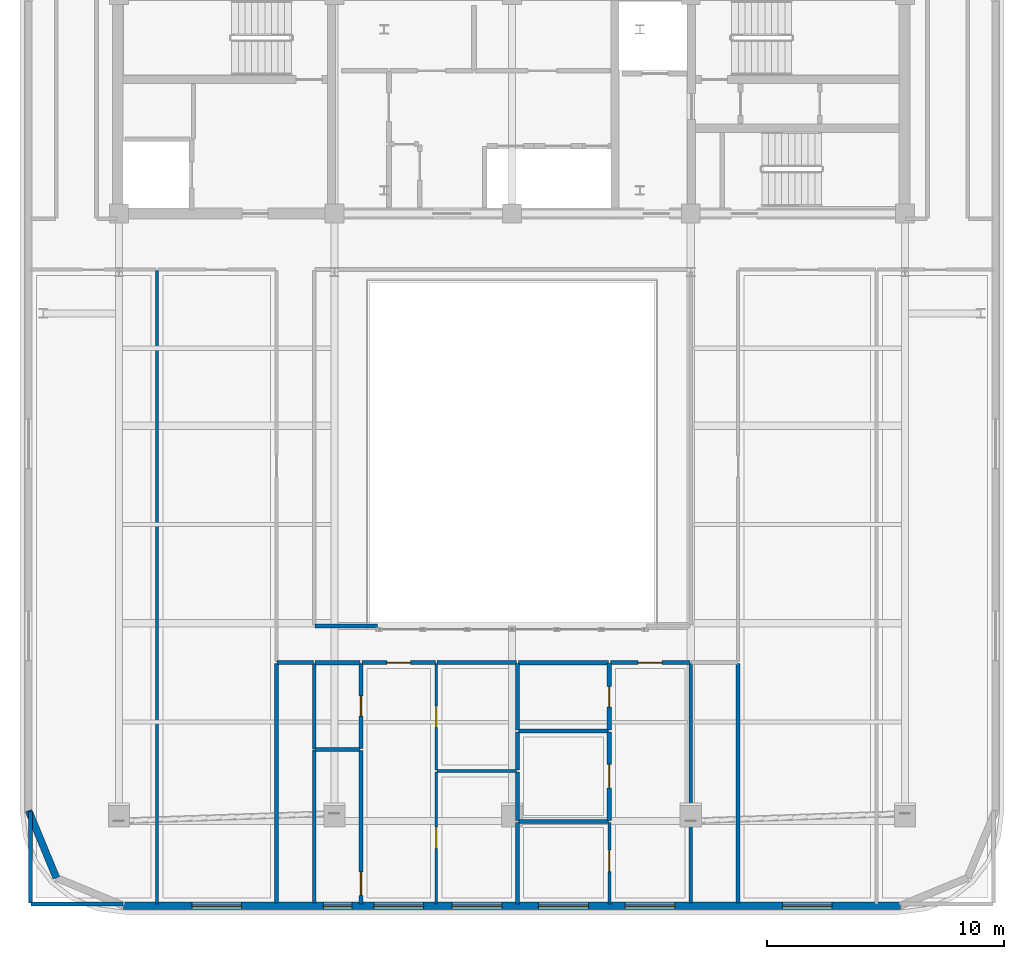
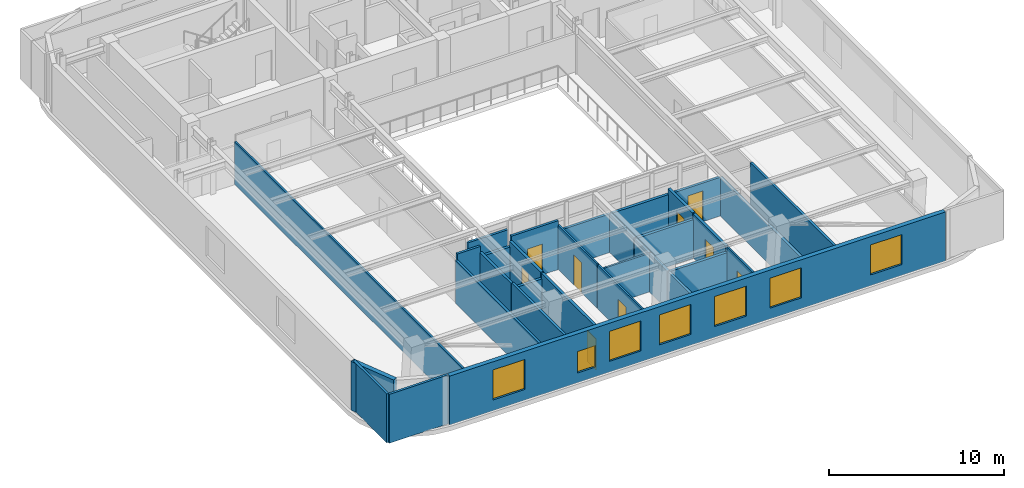
# One storey, part 5 of 11: 32 walls, 9 doors, 7 windows, 16 openings.
"""IFC4 building model written with IfcOpenShell, lengths in metres."""

from ifc_helpers import new_model, si_unit, direction, frame, frame_2d, origin, place, context, subcontext, project, spatial, rectangle, extrude, material, layer, layer_set, type_object, element, fill, save


model = new_model("IFC4")

# Units and contexts
model_context = context("Model", 3, precision=1e-05, world=origin(), true_north=direction((0.0, 1.0)))
body_context = subcontext(model_context, "Body", "Model", "MODEL_VIEW")
ifc_project = project(units=[si_unit("LENGTHUNIT", "METRE"), si_unit("AREAUNIT", "SQUARE_METRE"), si_unit("VOLUMEUNIT", "CUBIC_METRE"), si_unit("PLANEANGLEUNIT", "RADIAN"), si_unit("MASSUNIT", "GRAM", prefix="KILO")], contexts=[model_context])

# Site, building, storey
site_placement = place(None, origin())
site = spatial("IfcSite", under=ifc_project, at=site_placement, CompositionType="ELEMENT")
building_placement = place(site_placement, origin())
building = spatial("IfcBuilding", under=site, at=building_placement, Name="Zarnavel Station Tower", CompositionType="ELEMENT")
storey_placement = place(building_placement, frame((0.0, 0.0, 262.10009765625)))
storey = spatial("IfcBuildingStorey", under=building, at=storey_placement, Name="L71", CompositionType="ELEMENT", Elevation=262.10009765625)

# Wall
ifc_material_1 = material(Name="Precast concrete C45/55 (Dark Basalt Finish)", Category="masonry")
ifc_layer_1 = layer(ifc_material_1, 0.300048828125)
ifc_layer_set_1 = layer_set([ifc_layer_1], Name="EW_BASALT_300")
wall_type_1 = type_object("IfcWallType", Name="EW_BASALT_300", PredefinedType="SOLIDWALL", material=ifc_layer_set_1)
wall_1_placement = place(storey_placement, frame((9.557373046875, -0.24267578125, 0.0), z_axis=(0.0, 0.0, 1.0), x_axis=(-0.382676475685, 0.923882414032, 0.0)))
element("IfcWall", 1, at=wall_1_placement, inside=storey, type_object=wall_type_1, Name="L71 Exterior Basalt Masonry Frame Wall 10", PredefinedType="SOLIDWALL", context=body_context, shape_type="SweptSolid", body=[
    extrude(rectangle(XDim=3.076904296875, YDim=0.300048828125, at=frame_2d((1.53857421875, 0.0))), origin(), (0.0, 0.0, 1.0), 3.419921875),
])

# Wall, openings, windows
wall_2_placement = place(storey_placement, frame((45.199951171875, -1.419921875, 0.0), z_axis=(0.0, 0.0, 1.0), x_axis=(-1.0, 0.0, 0.0)))
wall_2 = element("IfcWall", 2, at=wall_2_placement, inside=storey, type_object=wall_type_1, Name="L71 Exterior Basalt Masonry Frame Wall 12", PredefinedType="SOLIDWALL", context=body_context, shape_type="SweptSolid", body=[
    extrude(rectangle(XDim=32.800048828125, YDim=0.300048828125, at=frame_2d((16.39990234375, 0.0))), origin(), (0.0, 0.0, 1.0), 3.419921875),
])
opening_1_placement = place(wall_2_placement, frame((27.824951171875, 0.0, 0.75)))
opening_1 = element("IfcOpeningElement", 3, at=opening_1_placement, cuts=wall_2, Name="Opening WN05", PredefinedType="OPENING", context=body_context, shape_type="SweptSolid", body=[
    extrude(rectangle(XDim=2.10009765625, YDim=2.10009765625, at=frame_2d((1.050048828125, 1.050048828125))), frame((0.0, 0.159912109375, 0.0), z_axis=(0.0, -1.0, 0.0), x_axis=(1.0, 0.0, 0.0)), (0.0, 0.0, 1.0), 0.320068359375),
])
opening_2_placement = place(wall_2_placement, frame((20.136474609375, 0.0, 0.75)))
opening_2 = element("IfcOpeningElement", 4, at=opening_2_placement, cuts=wall_2, Name="Opening WN05", PredefinedType="OPENING", context=body_context, shape_type="SweptSolid", body=[
    extrude(rectangle(XDim=2.10009765625, YDim=2.10009765625, at=frame_2d((1.050048828125, 1.050048828125))), frame((0.0, 0.159912109375, 0.0), z_axis=(0.0, -1.0, 0.0), x_axis=(1.0, 0.0, 0.0)), (0.0, 0.0, 1.0), 0.320068359375),
])
opening_3_placement = place(wall_2_placement, frame((23.16259765625, 0.0, 0.679931640625)))
opening_3 = element("IfcOpeningElement", 5, at=opening_3_placement, cuts=wall_2, Name="Opening WN08", PredefinedType="OPENING", context=body_context, shape_type="SweptSolid", body=[
    extrude(rectangle(XDim=1.199951171875, YDim=1.5, at=frame_2d((0.60009765625, 0.75))), frame((0.0, 0.159912109375, 0.0), z_axis=(0.0, -1.0, 0.0), x_axis=(1.0, 0.0, 0.0)), (0.0, 0.0, 1.0), 0.320068359375),
])
opening_4_placement = place(wall_2_placement, frame((16.8310546875, 0.0, 0.75)))
opening_4 = element("IfcOpeningElement", 6, at=opening_4_placement, cuts=wall_2, Name="Opening WN05", PredefinedType="OPENING", context=body_context, shape_type="SweptSolid", body=[
    extrude(rectangle(XDim=2.10009765625, YDim=2.10009765625, at=frame_2d((1.050048828125, 1.050048828125))), frame((0.0, 0.159912109375, 0.0), z_axis=(0.0, -1.0, 0.0), x_axis=(1.0, 0.0, 0.0)), (0.0, 0.0, 1.0), 0.320068359375),
])
opening_5_placement = place(wall_2_placement, frame((9.51904296875, 0.0, 0.75)))
opening_5 = element("IfcOpeningElement", 7, at=opening_5_placement, cuts=wall_2, Name="Opening WN05", PredefinedType="OPENING", context=body_context, shape_type="SweptSolid", body=[
    extrude(rectangle(XDim=2.10009765625, YDim=2.10009765625, at=frame_2d((1.050048828125, 1.050048828125))), frame((0.0, 0.159912109375, 0.0), z_axis=(0.0, -1.0, 0.0), x_axis=(1.0, 0.0, 0.0)), (0.0, 0.0, 1.0), 0.320068359375),
])
opening_6_placement = place(wall_2_placement, frame((13.176025390625, 0.0, 0.75)))
opening_6 = element("IfcOpeningElement", 8, at=opening_6_placement, cuts=wall_2, Name="Opening WN05", PredefinedType="OPENING", context=body_context, shape_type="SweptSolid", body=[
    extrude(rectangle(XDim=2.10009765625, YDim=2.10009765625, at=frame_2d((1.050048828125, 1.050048828125))), frame((0.0, 0.159912109375, 0.0), z_axis=(0.0, -1.0, 0.0), x_axis=(1.0, 0.0, 0.0)), (0.0, 0.0, 1.0), 0.320068359375),
])
opening_7_placement = place(wall_2_placement, frame((2.875, 0.0, 0.75)))
opening_7 = element("IfcOpeningElement", 9, at=opening_7_placement, cuts=wall_2, Name="Opening WN05", PredefinedType="OPENING", context=body_context, shape_type="SweptSolid", body=[
    extrude(rectangle(XDim=2.10009765625, YDim=2.10009765625, at=frame_2d((1.050048828125, 1.050048828125))), frame((0.0, 0.159912109375, 0.0), z_axis=(0.0, -1.0, 0.0), x_axis=(1.0, 0.0, 0.0)), (0.0, 0.0, 1.0), 0.320068359375),
])
ifc_material_2 = material(Name="Thermally Broken Black Aluminium and Low-E Dark Glass", Category="aluminium")
window_type_1 = type_object("IfcWindowType", Name="WN_1200x1500", PartitioningType="SINGLE_PANEL", PredefinedType="WINDOW", material=ifc_material_2)
window_1_placement = place(opening_3_placement, origin())
window_1 = element("IfcWindow", 10, at=window_1_placement, inside=storey, type_object=window_type_1, Name="L71 Recessed Facade Window 03", OverallHeight=1.5, OverallWidth=1.199951171875, PartitioningType="SINGLE_PANEL", PredefinedType="WINDOW", context=body_context, shape_type="SweptSolid", body=[
    extrude(rectangle(XDim=1.199951171875, YDim=1.5, at=frame_2d((0.60009765625, 0.75))), frame((0.0, 0.030029296875, 0.0), z_axis=(0.0, -1.0, 0.0), x_axis=(1.0, 0.0, 0.0)), (0.0, 0.0, 1.0), 0.06005859375),
])
fill(opening_3, window_1)
ifc_material_3 = material(Name="Thermally Broken Black Aluminium and Low-E Dark Glass", Category="aluminium")
window_type_2 = type_object("IfcWindowType", Name="WN_2100x2100", PartitioningType="TRIPLE_PANEL_VERTICAL", PredefinedType="WINDOW", material=ifc_material_3)
window_2_placement = place(opening_1_placement, origin())
window_2 = element("IfcWindow", 11, at=window_2_placement, inside=storey, type_object=window_type_2, Name="L71 Recessed Facade Window 01", OverallHeight=2.10009765625, OverallWidth=2.10009765625, PartitioningType="SINGLE_PANEL", PredefinedType="WINDOW", context=body_context, shape_type="SweptSolid", body=[
    extrude(rectangle(XDim=2.10009765625, YDim=2.10009765625, at=frame_2d((1.050048828125, 1.050048828125))), frame((0.0, 0.030029296875, 0.0), z_axis=(0.0, -1.0, 0.0), x_axis=(1.0, 0.0, 0.0)), (0.0, 0.0, 1.0), 0.06005859375),
])
fill(opening_1, window_2)
window_3_placement = place(opening_2_placement, origin())
window_3 = element("IfcWindow", 12, at=window_3_placement, inside=storey, type_object=window_type_2, Name="L71 Recessed Facade Window 02", OverallHeight=2.10009765625, OverallWidth=2.10009765625, PartitioningType="SINGLE_PANEL", PredefinedType="WINDOW", context=body_context, shape_type="SweptSolid", body=[
    extrude(rectangle(XDim=2.10009765625, YDim=2.10009765625, at=frame_2d((1.050048828125, 1.050048828125))), frame((0.0, 0.030029296875, 0.0), z_axis=(0.0, -1.0, 0.0), x_axis=(1.0, 0.0, 0.0)), (0.0, 0.0, 1.0), 0.06005859375),
])
fill(opening_2, window_3)
window_4_placement = place(opening_4_placement, origin())
window_4 = element("IfcWindow", 13, at=window_4_placement, inside=storey, type_object=window_type_2, Name="L71 Recessed Facade Window 04", OverallHeight=2.10009765625, OverallWidth=2.10009765625, PartitioningType="SINGLE_PANEL", PredefinedType="WINDOW", context=body_context, shape_type="SweptSolid", body=[
    extrude(rectangle(XDim=2.10009765625, YDim=2.10009765625, at=frame_2d((1.050048828125, 1.050048828125))), frame((0.0, 0.030029296875, 0.0), z_axis=(0.0, -1.0, 0.0), x_axis=(1.0, 0.0, 0.0)), (0.0, 0.0, 1.0), 0.06005859375),
])
fill(opening_4, window_4)
window_5_placement = place(opening_5_placement, origin())
window_5 = element("IfcWindow", 14, at=window_5_placement, inside=storey, type_object=window_type_2, Name="L71 Recessed Facade Window 05", OverallHeight=2.10009765625, OverallWidth=2.10009765625, PartitioningType="SINGLE_PANEL", PredefinedType="WINDOW", context=body_context, shape_type="SweptSolid", body=[
    extrude(rectangle(XDim=2.10009765625, YDim=2.10009765625, at=frame_2d((1.050048828125, 1.050048828125))), frame((0.0, 0.030029296875, 0.0), z_axis=(0.0, -1.0, 0.0), x_axis=(1.0, 0.0, 0.0)), (0.0, 0.0, 1.0), 0.06005859375),
])
fill(opening_5, window_5)
window_6_placement = place(opening_6_placement, origin())
window_6 = element("IfcWindow", 15, at=window_6_placement, inside=storey, type_object=window_type_2, Name="L71 Recessed Facade Window 06", OverallHeight=2.10009765625, OverallWidth=2.10009765625, PartitioningType="SINGLE_PANEL", PredefinedType="WINDOW", context=body_context, shape_type="SweptSolid", body=[
    extrude(rectangle(XDim=2.10009765625, YDim=2.10009765625, at=frame_2d((1.050048828125, 1.050048828125))), frame((0.0, 0.030029296875, 0.0), z_axis=(0.0, -1.0, 0.0), x_axis=(1.0, 0.0, 0.0)), (0.0, 0.0, 1.0), 0.06005859375),
])
fill(opening_6, window_6)
window_7_placement = place(opening_7_placement, origin())
window_7 = element("IfcWindow", 16, at=window_7_placement, inside=storey, type_object=window_type_2, Name="L71 Recessed Facade Window 07", OverallHeight=2.10009765625, OverallWidth=2.10009765625, PartitioningType="SINGLE_PANEL", PredefinedType="WINDOW", context=body_context, shape_type="SweptSolid", body=[
    extrude(rectangle(XDim=2.10009765625, YDim=2.10009765625, at=frame_2d((1.050048828125, 1.050048828125))), frame((0.0, 0.030029296875, 0.0), z_axis=(0.0, -1.0, 0.0), x_axis=(1.0, 0.0, 0.0)), (0.0, 0.0, 1.0), 0.06005859375),
])
fill(opening_7, window_7)

# Wall, opening, door
ifc_material_4 = material(Name="Gypsum Twin-Stud Acoustic Fire Partition", Category="concrete")
ifc_layer_2 = layer(ifc_material_4, 0.159912109375)
ifc_layer_set_2 = layer_set([ifc_layer_2], Name="PT_DEMISE_160")
wall_type_2 = type_object("IfcWallType", Name="PT_DEMISE_160", PredefinedType="PARTITIONING", material=ifc_layer_set_2)
wall_3_placement = place(storey_placement, frame((22.465087890625, 8.85009765625, 0.0), z_axis=(0.0, 0.0, 1.0), x_axis=(1.0, 0.0, 0.0)))
wall_3 = element("IfcWall", 17, at=wall_3_placement, inside=storey, type_object=wall_type_2, Name="L71 Partition COR-AS-US1ALV", PredefinedType="PARTITIONING", context=body_context, shape_type="SweptSolid", body=[
    extrude(rectangle(XDim=3.096923828125, YDim=0.159912109375, at=frame_2d((1.54833984375, 0.0))), origin(), (0.0, 0.0, 1.0), 3.419921875),
])
opening_8_placement = place(wall_3_placement, frame((1.048583984375, 0.0, 0.0)))
opening_8 = element("IfcOpeningElement", 18, at=opening_8_placement, cuts=wall_3, Name="Opening FD02", PredefinedType="OPENING", context=body_context, shape_type="SweptSolid", body=[
    extrude(rectangle(XDim=1.0, YDim=2.14990234375, at=frame_2d((0.5, 1.074951171875))), frame((0.0, 0.08984375, 0.0), z_axis=(0.0, -1.0, 0.0), x_axis=(1.0, 0.0, 0.0)), (0.0, 0.0, 1.0), 0.179931640625),
])
ifc_material_5 = material(Name="Painted Galvanised Steel and Hardwood Leaf", Category="steel")
door_type_1 = type_object("IfcDoorType", Name="ID_ENTRY_1000", OperationType="NOTDEFINED", PredefinedType="DOOR", material=ifc_material_5)
door_1_placement = place(opening_8_placement, origin())
door_1 = element("IfcDoor", 19, at=door_1_placement, inside=storey, type_object=door_type_1, Name="L71 Door COR-AS-US1ALV", OperationType="SINGLE_SWING_LEFT", OverallHeight=2.14990234375, OverallWidth=1.0, PredefinedType="DOOR", context=body_context, shape_type="SweptSolid", body=[
    extrude(rectangle(XDim=1.0, YDim=2.14990234375, at=frame_2d((0.5, 1.074951171875))), frame((0.0, 0.02490234375, 0.0), z_axis=(0.0, -1.0, 0.0), x_axis=(1.0, 0.0, 0.0)), (0.0, 0.0, 1.0), 0.050048828125),
])
fill(opening_8, door_1)

# Wall
wall_4_placement = place(storey_placement, frame((25.64208984375, 8.85009765625, 0.0), z_axis=(0.0, 0.0, 1.0), x_axis=(1.0, 0.0, 0.0)))
element("IfcWall", 20, at=wall_4_placement, inside=storey, type_object=wall_type_2, Name="L71 Partition COR-AS-US1AB2", PredefinedType="PARTITIONING", context=body_context, shape_type="SweptSolid", body=[
    extrude(rectangle(XDim=3.35400390625, YDim=0.159912109375, at=frame_2d((1.677001953125, 0.0))), origin(), (0.0, 0.0, 1.0), 2.699951171875),
])

# Wall, opening, door
wall_5_placement = place(storey_placement, frame((32.951904296875, 8.85009765625, 0.0), z_axis=(0.0, 0.0, 1.0), x_axis=(1.0, 0.0, 0.0)))
wall_5 = element("IfcWall", 21, at=wall_5_placement, inside=storey, type_object=wall_type_2, Name="L71 Partition COR-AS-US1BLV", PredefinedType="PARTITIONING", context=body_context, shape_type="SweptSolid", body=[
    extrude(rectangle(XDim=3.358154296875, YDim=0.159912109375, at=frame_2d((1.67919921875, 0.0))), origin(), (0.0, 0.0, 1.0), 2.699951171875),
])
opening_9_placement = place(wall_5_placement, frame((1.178955078125, 0.0, 0.0)))
opening_9 = element("IfcOpeningElement", 22, at=opening_9_placement, cuts=wall_5, Name="Opening FD02", PredefinedType="OPENING", context=body_context, shape_type="SweptSolid", body=[
    extrude(rectangle(XDim=1.0, YDim=2.14990234375, at=frame_2d((0.5, 1.074951171875))), frame((0.0, 0.08984375, 0.0), z_axis=(0.0, -1.0, 0.0), x_axis=(1.0, 0.0, 0.0)), (0.0, 0.0, 1.0), 0.179931640625),
])
door_2_placement = place(opening_9_placement, origin())
door_2 = element("IfcDoor", 23, at=door_2_placement, inside=storey, type_object=door_type_1, Name="L71 Door COR-AS-US1BLV", OperationType="SINGLE_SWING_RIGHT", OverallHeight=2.14990234375, OverallWidth=1.0, PredefinedType="DOOR", context=body_context, shape_type="SweptSolid", body=[
    extrude(rectangle(XDim=1.0, YDim=2.14990234375, at=frame_2d((0.5, 1.074951171875))), frame((0.0, 0.02490234375, 0.0), z_axis=(0.0, -1.0, 0.0), x_axis=(1.0, 0.0, 0.0)), (0.0, 0.0, 1.0), 0.050048828125),
])
fill(opening_9, door_2)

# Walls
wall_6_placement = place(storey_placement, frame((29.035888671875, -1.340087890625, 0.0), z_axis=(0.0, 0.0, 1.0), x_axis=(0.0, 1.0, 0.0)))
element("IfcWall", 24, at=wall_6_placement, inside=storey, type_object=wall_type_2, Name="L71 Partition US1AB1-US1BB1", PredefinedType="PARTITIONING", context=body_context, shape_type="SweptSolid", body=[
    extrude(rectangle(XDim=3.443115234375, YDim=0.159912109375, at=frame_2d((1.7216796875, 0.0))), origin(), (0.0, 0.0, 1.0), 2.699951171875),
])
wall_7_placement = place(storey_placement, frame((18.8798828125, 8.85009765625, 0.0), z_axis=(0.0, 0.0, 1.0), x_axis=(1.0, 0.0, 0.0)))
element("IfcWall", 25, at=wall_7_placement, inside=storey, type_object=wall_type_2, Name="L71 Enclosure Wall COR-AW", PredefinedType="PARTITIONING", context=body_context, shape_type="SweptSolid", body=[
    extrude(rectangle(XDim=1.5400390625, YDim=0.159912109375, at=frame_2d((0.77001953125, 0.0))), origin(), (0.0, 0.0, 1.0), 3.419921875),
])
wall_8_placement = place(storey_placement, frame((20.47998046875, 10.39990234375, 0.0), z_axis=(0.0, 0.0, 1.0), x_axis=(1.0, 0.0, 0.0)))
element("IfcWall", 26, at=wall_8_placement, inside=storey, type_object=wall_type_2, Name="L71 Enclosure Wall COR-AS", PredefinedType="PARTITIONING", context=body_context, shape_type="SweptSolid", body=[
    extrude(rectangle(XDim=2.64013671875, YDim=0.159912109375, at=frame_2d((1.320068359375, 0.0))), origin(), (0.0, 0.0, 1.0), 2.699951171875),
])
for number, where, z_axis, x_axis, name in (
    (27, (8.489990234375, -1.340087890625, 0.0), (0.0, 0.0, 1.0), (1.0, 0.0, 0.0), "L71 Enclosure Wall L71GAL"),
    (28, (8.4599609375, -1.31005859375, 0.0), (0.0, 0.0, 1.0), (0.0, 1.0, 0.0), "L71 Enclosure Wall L71GAL"),
):
    element("IfcWall", number, at=place(storey_placement, frame(where, z_axis=z_axis, x_axis=x_axis)), inside=storey, type_object=wall_type_2, Name=name, PredefinedType="PARTITIONING", context=body_context, shape_type="SweptSolid", body=[
        extrude(rectangle(XDim=3.880126953125, YDim=0.159912109375, at=frame_2d((1.93994140625, 0.0))), origin(), (0.0, 0.0, 1.0), 3.419921875),
    ])
wall_9_placement = place(storey_placement, frame((18.85009765625, -1.31005859375, 0.0), z_axis=(0.0, 0.0, 1.0), x_axis=(0.0, 1.0, 0.0)))
element("IfcWall", 29, at=wall_9_placement, inside=storey, type_object=wall_type_2, Name="L71 Enclosure Wall L71GYM", PredefinedType="PARTITIONING", context=body_context, shape_type="SweptSolid", body=[
    extrude(rectangle(XDim=10.130126953125, YDim=0.159912109375, at=frame_2d((5.06494140625, 0.0))), origin(), (0.0, 0.0, 1.0), 3.0),
])
wall_10_placement = place(storey_placement, frame((20.449951171875, -1.31005859375, 0.0), z_axis=(0.0, 0.0, 1.0), x_axis=(0.0, 1.0, 0.0)))
element("IfcWall", 30, at=wall_10_placement, inside=storey, type_object=wall_type_2, Name="L71 Enclosure Wall US1AKT", PredefinedType="PARTITIONING", context=body_context, shape_type="SweptSolid", body=[
    extrude(rectangle(XDim=6.462158203125, YDim=0.159912109375, at=frame_2d((3.23095703125, 0.0))), origin(), (0.0, 0.0, 1.0), 3.079833984375),
])
wall_11_placement = place(storey_placement, frame((20.449951171875, 5.2119140625, 0.0), z_axis=(0.0, 0.0, 1.0), x_axis=(0.0, 1.0, 0.0)))
element("IfcWall", 31, at=wall_11_placement, inside=storey, type_object=wall_type_2, Name="L71 Enclosure Wall US1ABA", PredefinedType="PARTITIONING", context=body_context, shape_type="SweptSolid", body=[
    extrude(rectangle(XDim=3.608154296875, YDim=0.159912109375, at=frame_2d((1.80419921875, 0.0))), origin(), (0.0, 0.0, 1.0), 3.0),
])
wall_12_placement = place(storey_placement, frame((36.35009765625, -1.31005859375, 0.0), z_axis=(0.0, 0.0, 1.0), x_axis=(0.0, 1.0, 0.0)))
element("IfcWall", 32, at=wall_12_placement, inside=storey, type_object=wall_type_2, Name="L71 Enclosure Wall US1BLV", PredefinedType="PARTITIONING", context=body_context, shape_type="SweptSolid", body=[
    extrude(rectangle(XDim=10.130126953125, YDim=0.159912109375, at=frame_2d((5.06494140625, 0.0))), origin(), (0.0, 0.0, 1.0), 2.699951171875),
])
wall_13_placement = place(storey_placement, frame((38.35009765625, -1.31005859375, 0.0), z_axis=(0.0, 0.0, 1.0), x_axis=(0.0, 1.0, 0.0)))
element("IfcWall", 33, at=wall_13_placement, inside=storey, type_object=wall_type_2, Name="L71 Enclosure Wall L71SPA", PredefinedType="PARTITIONING", context=body_context, shape_type="SweptSolid", body=[
    extrude(rectangle(XDim=10.130126953125, YDim=0.159912109375, at=frame_2d((5.06494140625, 0.0))), origin(), (0.0, 0.0, 1.0), 3.0),
])
ifc_material_6 = material(Name="Gypsum Metal-Stud Interior Partition", Category="concrete")
ifc_layer_3 = layer(ifc_material_6, 0.1201171875)
ifc_layer_set_3 = layer_set([ifc_layer_3], Name="PT_ROOM_120")
wall_type_3 = type_object("IfcWallType", Name="PT_ROOM_120", PredefinedType="PARTITIONING", material=ifc_layer_set_3)
wall_14_placement = place(storey_placement, frame((13.800048828125, -1.340087890625, 0.0), z_axis=(0.0, 0.0, 1.0), x_axis=(0.0, 1.0, 0.0)))
element("IfcWall", 34, at=wall_14_placement, inside=storey, type_object=wall_type_3, Name="L71 Partition L71GAL-L71GYM", PredefinedType="PARTITIONING", context=body_context, shape_type="SweptSolid", body=[
    extrude(rectangle(XDim=26.75, YDim=0.1201171875, at=frame_2d((13.375, 0.0))), origin(), (0.0, 0.0, 1.0), 3.0),
])

# Wall, opening, door
wall_15_placement = place(storey_placement, frame((25.60205078125, -1.340087890625, 0.0), z_axis=(0.0, 0.0, 1.0), x_axis=(0.0, 1.0, 0.0)))
wall_15 = element("IfcWall", 35, at=wall_15_placement, inside=storey, type_object=wall_type_3, Name="L71 Partition US1ALV-US1AB1", PredefinedType="PARTITIONING", context=body_context, shape_type="SweptSolid", body=[
    extrude(rectangle(XDim=5.5791015625, YDim=0.1201171875, at=frame_2d((2.78955078125, 0.0))), origin(), (0.0, 0.0, 1.0), 3.079833984375),
])
opening_10_placement = place(wall_15_placement, frame((2.339599609375, 0.0, 0.0)))
opening_10 = element("IfcOpeningElement", 36, at=opening_10_placement, cuts=wall_15, Name="Opening ID01", PredefinedType="OPENING", context=body_context, shape_type="SweptSolid", body=[
    extrude(rectangle(XDim=0.89990234375, YDim=2.10009765625, at=frame_2d((0.449951171875, 1.050048828125))), frame((0.0, 0.070068359375, 0.0), z_axis=(0.0, -1.0, 0.0), x_axis=(1.0, 0.0, 0.0)), (0.0, 0.0, 1.0), 0.14013671875),
])
ifc_material_7 = material(Name="Painted Galvanised Steel and Hardwood Leaf", Category="steel")
door_type_2 = type_object("IfcDoorType", Name="ID_ROOM_900", OperationType="NOTDEFINED", PredefinedType="DOOR", material=ifc_material_7)
door_3_placement = place(opening_10_placement, origin())
door_3 = element("IfcDoor", 37, at=door_3_placement, inside=storey, type_object=door_type_2, Name="L71 Door US1ALV-US1AB1", OperationType="SINGLE_SWING_RIGHT", OverallHeight=2.10009765625, OverallWidth=0.89990234375, PredefinedType="DOOR", context=body_context, shape_type="SweptSolid", body=[
    extrude(rectangle(XDim=0.89990234375, YDim=2.10009765625, at=frame_2d((0.449951171875, 1.050048828125))), frame((0.0, 0.02490234375, 0.0), z_axis=(0.0, -1.0, 0.0), x_axis=(1.0, 0.0, 0.0)), (0.0, 0.0, 1.0), 0.050048828125),
])
fill(opening_10, door_3)

wall_16_placement = place(storey_placement, frame((25.60205078125, 4.319091796875, 0.0), z_axis=(0.0, 0.0, 1.0), x_axis=(0.0, 1.0, 0.0)))
wall_16 = element("IfcWall", 38, at=wall_16_placement, inside=storey, type_object=wall_type_3, Name="L71 Partition US1ALV-US1AB2", PredefinedType="PARTITIONING", context=body_context, shape_type="SweptSolid", body=[
    extrude(rectangle(XDim=4.490966796875, YDim=0.1201171875, at=frame_2d((2.24560546875, 0.0))), origin(), (0.0, 0.0, 1.0), 3.099853515625),
])
opening_11_placement = place(wall_16_placement, frame((1.79541015625, 0.0, 0.0)))
opening_11 = element("IfcOpeningElement", 39, at=opening_11_placement, cuts=wall_16, Name="Opening ID01", PredefinedType="OPENING", context=body_context, shape_type="SweptSolid", body=[
    extrude(rectangle(XDim=0.89990234375, YDim=2.10009765625, at=frame_2d((0.449951171875, 1.050048828125))), frame((0.0, 0.070068359375, 0.0), z_axis=(0.0, -1.0, 0.0), x_axis=(1.0, 0.0, 0.0)), (0.0, 0.0, 1.0), 0.14013671875),
])
door_4_placement = place(opening_11_placement, origin())
door_4 = element("IfcDoor", 40, at=door_4_placement, inside=storey, type_object=door_type_2, Name="L71 Door US1ALV-US1AB2", OperationType="SINGLE_SWING_LEFT", OverallHeight=2.10009765625, OverallWidth=0.89990234375, PredefinedType="DOOR", context=body_context, shape_type="SweptSolid", body=[
    extrude(rectangle(XDim=0.89990234375, YDim=2.10009765625, at=frame_2d((0.449951171875, 1.050048828125))), frame((0.0, 0.02490234375, 0.0), z_axis=(0.0, -1.0, 0.0), x_axis=(1.0, 0.0, 0.0)), (0.0, 0.0, 1.0), 0.050048828125),
])
fill(opening_11, door_4)

# Wall
wall_17_placement = place(storey_placement, frame((25.64208984375, 4.279052734375, 0.0), z_axis=(0.0, 0.0, 1.0), x_axis=(1.0, 0.0, 0.0)))
element("IfcWall", 41, at=wall_17_placement, inside=storey, type_object=wall_type_3, Name="L71 Partition US1AB1-US1AB2", PredefinedType="PARTITIONING", context=body_context, shape_type="SweptSolid", body=[
    extrude(rectangle(XDim=3.35400390625, YDim=0.1201171875, at=frame_2d((1.677001953125, 0.0))), origin(), (0.0, 0.0, 1.0), 2.699951171875),
])

# Wall, opening, door
wall_18_placement = place(storey_placement, frame((32.912109375, -1.340087890625, 0.0), z_axis=(0.0, 0.0, 1.0), x_axis=(0.0, 1.0, 0.0)))
wall_18 = element("IfcWall", 42, at=wall_18_placement, inside=storey, type_object=wall_type_3, Name="L71 Partition US1BLV-US1BB1", PredefinedType="PARTITIONING", context=body_context, shape_type="SweptSolid", body=[
    extrude(rectangle(XDim=3.443115234375, YDim=0.1201171875, at=frame_2d((1.7216796875, 0.0))), origin(), (0.0, 0.0, 1.0), 3.079833984375),
])
opening_12_placement = place(wall_18_placement, frame((1.36572265625, 0.0, 0.0)))
opening_12 = element("IfcOpeningElement", 43, at=opening_12_placement, cuts=wall_18, Name="Opening ID01", PredefinedType="OPENING", context=body_context, shape_type="SweptSolid", body=[
    extrude(rectangle(XDim=0.89990234375, YDim=2.10009765625, at=frame_2d((0.449951171875, 1.050048828125))), frame((0.0, 0.070068359375, 0.0), z_axis=(0.0, -1.0, 0.0), x_axis=(1.0, 0.0, 0.0)), (0.0, 0.0, 1.0), 0.14013671875),
])
door_5_placement = place(opening_12_placement, origin())
door_5 = element("IfcDoor", 44, at=door_5_placement, inside=storey, type_object=door_type_2, Name="L71 Door US1BLV-US1BB1", OperationType="SINGLE_SWING_RIGHT", OverallHeight=2.10009765625, OverallWidth=0.89990234375, PredefinedType="DOOR", context=body_context, shape_type="SweptSolid", body=[
    extrude(rectangle(XDim=0.89990234375, YDim=2.10009765625, at=frame_2d((0.449951171875, 1.050048828125))), frame((0.0, 0.02490234375, 0.0), z_axis=(0.0, -1.0, 0.0), x_axis=(1.0, 0.0, 0.0)), (0.0, 0.0, 1.0), 0.050048828125),
])
fill(opening_12, door_5)

# Walls
ifc_material_8 = material(Name="Moisture-Resistant Plumbing Chase Wall", Category="concrete")
ifc_layer_4 = layer(ifc_material_8, 0.179931640625)
ifc_layer_set_4 = layer_set([ifc_layer_4], Name="PW_PLUMB_180")
wall_type_4 = type_object("IfcWallType", Name="PW_PLUMB_180", PredefinedType="PLUMBINGWALL", material=ifc_layer_set_4)
wall_19_placement = place(storey_placement, frame((20.489990234375, 8.85009765625, 0.0), z_axis=(0.0, 0.0, 1.0), x_axis=(1.0, 0.0, 0.0)))
element("IfcWall", 45, at=wall_19_placement, inside=storey, type_object=wall_type_4, Name="L71 Partition COR-AS-US1ABA", PredefinedType="PLUMBINGWALL", context=body_context, shape_type="SweptSolid", body=[
    extrude(rectangle(XDim=1.89501953125, YDim=0.179931640625, at=frame_2d((0.947509765625, 0.0))), origin(), (0.0, 0.0, 1.0), 2.699951171875),
])
wall_20_placement = place(storey_placement, frame((29.075927734375, 8.85009765625, 0.0), z_axis=(0.0, 0.0, 1.0), x_axis=(1.0, 0.0, 0.0)))
element("IfcWall", 46, at=wall_20_placement, inside=storey, type_object=wall_type_4, Name="L71 Partition COR-AS-US1BBA", PredefinedType="PLUMBINGWALL", context=body_context, shape_type="SweptSolid", body=[
    extrude(rectangle(XDim=3.796142578125, YDim=0.179931640625, at=frame_2d((1.89794921875, 0.0))), origin(), (0.0, 0.0, 1.0), 2.699951171875),
])

# Wall, opening, door
wall_21_placement = place(storey_placement, frame((22.425048828125, -1.340087890625, 0.0), z_axis=(0.0, 0.0, 1.0), x_axis=(0.0, 1.0, 0.0)))
wall_21 = element("IfcWall", 47, at=wall_21_placement, inside=storey, type_object=wall_type_4, Name="L71 Partition US1ALV-US1AKT", PredefinedType="PLUMBINGWALL", context=body_context, shape_type="SweptSolid", body=[
    extrude(rectangle(XDim=6.482177734375, YDim=0.179931640625, at=frame_2d((3.2412109375, 0.0))), origin(), (0.0, 0.0, 1.0), 3.079833984375),
])
opening_13_placement = place(wall_21_placement, frame((0.356689453125, 0.0, 0.0)))
opening_13 = element("IfcOpeningElement", 48, at=opening_13_placement, cuts=wall_21, Name="Opening FD02", PredefinedType="OPENING", context=body_context, shape_type="SweptSolid", body=[
    extrude(rectangle(XDim=1.0, YDim=2.14990234375, at=frame_2d((0.5, 1.074951171875))), frame((0.0, 0.099853515625, 0.0), z_axis=(0.0, -1.0, 0.0), x_axis=(1.0, 0.0, 0.0)), (0.0, 0.0, 1.0), 0.199951171875),
])
door_6_placement = place(opening_13_placement, origin())
door_6 = element("IfcDoor", 49, at=door_6_placement, inside=storey, type_object=door_type_1, Name="L71 Door US1ALV-US1AKT", OperationType="SINGLE_SWING_RIGHT", OverallHeight=2.14990234375, OverallWidth=1.0, PredefinedType="DOOR", context=body_context, shape_type="SweptSolid", body=[
    extrude(rectangle(XDim=1.0, YDim=2.14990234375, at=frame_2d((0.5, 1.074951171875))), frame((0.0, 0.02490234375, 0.0), z_axis=(0.0, -1.0, 0.0), x_axis=(1.0, 0.0, 0.0)), (0.0, 0.0, 1.0), 0.050048828125),
])
fill(opening_13, door_6)

wall_22_placement = place(storey_placement, frame((22.425048828125, 5.221923828125, 0.0), z_axis=(0.0, 0.0, 1.0), x_axis=(0.0, 1.0, 0.0)))
wall_22 = element("IfcWall", 50, at=wall_22_placement, inside=storey, type_object=wall_type_4, Name="L71 Partition US1ALV-US1ABA", PredefinedType="PLUMBINGWALL", context=body_context, shape_type="SweptSolid", body=[
    extrude(rectangle(XDim=3.588134765625, YDim=0.179931640625, at=frame_2d((1.7939453125, 0.0))), origin(), (0.0, 0.0, 1.0), 3.099853515625),
])
opening_14_placement = place(wall_22_placement, frame((1.368896484375, 0.0, 0.0)))
opening_14 = element("IfcOpeningElement", 51, at=opening_14_placement, cuts=wall_22, Name="Opening ID02", PredefinedType="OPENING", context=body_context, shape_type="SweptSolid", body=[
    extrude(rectangle(XDim=0.85009765625, YDim=2.10009765625, at=frame_2d((0.425048828125, 1.050048828125))), frame((0.0, 0.099853515625, 0.0), z_axis=(0.0, -1.0, 0.0), x_axis=(1.0, 0.0, 0.0)), (0.0, 0.0, 1.0), 0.199951171875),
])
ifc_material_9 = material(Name="Painted Galvanised Steel and Hardwood Leaf", Category="steel")
door_type_3 = type_object("IfcDoorType", Name="ID_BATH_850", OperationType="NOTDEFINED", PredefinedType="DOOR", material=ifc_material_9)
door_7_placement = place(opening_14_placement, origin())
door_7 = element("IfcDoor", 52, at=door_7_placement, inside=storey, type_object=door_type_3, Name="L71 Door US1ALV-US1ABA", OperationType="SINGLE_SWING_LEFT", OverallHeight=2.10009765625, OverallWidth=0.85009765625, PredefinedType="DOOR", context=body_context, shape_type="SweptSolid", body=[
    extrude(rectangle(XDim=0.85009765625, YDim=2.10009765625, at=frame_2d((0.425048828125, 1.050048828125))), frame((0.0, 0.02490234375, 0.0), z_axis=(0.0, -1.0, 0.0), x_axis=(1.0, 0.0, 0.0)), (0.0, 0.0, 1.0), 0.050048828125),
])
fill(opening_14, door_7)

# Walls
wall_23_placement = place(storey_placement, frame((20.489990234375, 5.181884765625, 0.0), z_axis=(0.0, 0.0, 1.0), x_axis=(1.0, 0.0, 0.0)))
element("IfcWall", 53, at=wall_23_placement, inside=storey, type_object=wall_type_4, Name="L71 Partition US1AKT-US1ABA", PredefinedType="PLUMBINGWALL", context=body_context, shape_type="SweptSolid", body=[
    extrude(rectangle(XDim=1.89501953125, YDim=0.179931640625, at=frame_2d((0.947509765625, 0.0))), origin(), (0.0, 0.0, 1.0), 2.699951171875),
])
wall_24_placement = place(storey_placement, frame((29.035888671875, 2.18310546875, 0.0), z_axis=(0.0, 0.0, 1.0), x_axis=(0.0, 1.0, 0.0)))
element("IfcWall", 54, at=wall_24_placement, inside=storey, type_object=wall_type_4, Name="L71 Partition US1AB1-US1BKT", PredefinedType="PLUMBINGWALL", context=body_context, shape_type="SweptSolid", body=[
    extrude(rectangle(XDim=2.055908203125, YDim=0.179931640625, at=frame_2d((1.02783203125, 0.0))), origin(), (0.0, 0.0, 1.0), 2.699951171875),
])
wall_25_placement = place(storey_placement, frame((29.035888671875, 4.319091796875, 0.0), z_axis=(0.0, 0.0, 1.0), x_axis=(0.0, 1.0, 0.0)))
element("IfcWall", 55, at=wall_25_placement, inside=storey, type_object=wall_type_4, Name="L71 Partition US1AB2-US1BKT", PredefinedType="PLUMBINGWALL", context=body_context, shape_type="SweptSolid", body=[
    extrude(rectangle(XDim=1.60693359375, YDim=0.179931640625, at=frame_2d((0.803466796875, 0.0))), origin(), (0.0, 0.0, 1.0), 2.699951171875),
])
wall_26_placement = place(storey_placement, frame((29.035888671875, 6.006103515625, 0.0), z_axis=(0.0, 0.0, 1.0), x_axis=(0.0, 1.0, 0.0)))
element("IfcWall", 56, at=wall_26_placement, inside=storey, type_object=wall_type_4, Name="L71 Partition US1AB2-US1BBA", PredefinedType="PLUMBINGWALL", context=body_context, shape_type="SweptSolid", body=[
    extrude(rectangle(XDim=2.803955078125, YDim=0.179931640625, at=frame_2d((1.40185546875, 0.0))), origin(), (0.0, 0.0, 1.0), 2.699951171875),
])

# Wall, opening, door
wall_27_placement = place(storey_placement, frame((32.912109375, 2.18310546875, 0.0), z_axis=(0.0, 0.0, 1.0), x_axis=(0.0, 1.0, 0.0)))
wall_27 = element("IfcWall", 57, at=wall_27_placement, inside=storey, type_object=wall_type_4, Name="L71 Partition US1BLV-US1BKT", PredefinedType="PLUMBINGWALL", context=body_context, shape_type="SweptSolid", body=[
    extrude(rectangle(XDim=3.742919921875, YDim=0.179931640625, at=frame_2d((1.87158203125, 0.0))), origin(), (0.0, 0.0, 1.0), 3.079833984375),
])
opening_15_placement = place(wall_27_placement, frame((1.37158203125, 0.0, 0.0)))
opening_15 = element("IfcOpeningElement", 58, at=opening_15_placement, cuts=wall_27, Name="Opening FD02", PredefinedType="OPENING", context=body_context, shape_type="SweptSolid", body=[
    extrude(rectangle(XDim=1.0, YDim=2.14990234375, at=frame_2d((0.5, 1.074951171875))), frame((0.0, 0.099853515625, 0.0), z_axis=(0.0, -1.0, 0.0), x_axis=(1.0, 0.0, 0.0)), (0.0, 0.0, 1.0), 0.199951171875),
])
door_8_placement = place(opening_15_placement, origin())
door_8 = element("IfcDoor", 59, at=door_8_placement, inside=storey, type_object=door_type_1, Name="L71 Door US1BLV-US1BKT", OperationType="SINGLE_SWING_LEFT", OverallHeight=2.14990234375, OverallWidth=1.0, PredefinedType="DOOR", context=body_context, shape_type="SweptSolid", body=[
    extrude(rectangle(XDim=1.0, YDim=2.14990234375, at=frame_2d((0.5, 1.074951171875))), frame((0.0, 0.02490234375, 0.0), z_axis=(0.0, -1.0, 0.0), x_axis=(1.0, 0.0, 0.0)), (0.0, 0.0, 1.0), 0.050048828125),
])
fill(opening_15, door_8)

wall_28_placement = place(storey_placement, frame((32.912109375, 6.006103515625, 0.0), z_axis=(0.0, 0.0, 1.0), x_axis=(0.0, 1.0, 0.0)))
wall_28 = element("IfcWall", 60, at=wall_28_placement, inside=storey, type_object=wall_type_4, Name="L71 Partition US1BLV-US1BBA", PredefinedType="PLUMBINGWALL", context=body_context, shape_type="SweptSolid", body=[
    extrude(rectangle(XDim=2.803955078125, YDim=0.179931640625, at=frame_2d((1.40185546875, 0.0))), origin(), (0.0, 0.0, 1.0), 3.099853515625),
])
opening_16_placement = place(wall_28_placement, frame((0.97705078125, 0.0, 0.0)))
opening_16 = element("IfcOpeningElement", 61, at=opening_16_placement, cuts=wall_28, Name="Opening ID02", PredefinedType="OPENING", context=body_context, shape_type="SweptSolid", body=[
    extrude(rectangle(XDim=0.85009765625, YDim=2.10009765625, at=frame_2d((0.425048828125, 1.050048828125))), frame((0.0, 0.099853515625, 0.0), z_axis=(0.0, -1.0, 0.0), x_axis=(1.0, 0.0, 0.0)), (0.0, 0.0, 1.0), 0.199951171875),
])
door_9_placement = place(opening_16_placement, origin())
door_9 = element("IfcDoor", 62, at=door_9_placement, inside=storey, type_object=door_type_3, Name="L71 Door US1BLV-US1BBA", OperationType="SINGLE_SWING_RIGHT", OverallHeight=2.10009765625, OverallWidth=0.85009765625, PredefinedType="DOOR", context=body_context, shape_type="SweptSolid", body=[
    extrude(rectangle(XDim=0.85009765625, YDim=2.10009765625, at=frame_2d((0.425048828125, 1.050048828125))), frame((0.0, 0.02490234375, 0.0), z_axis=(0.0, -1.0, 0.0), x_axis=(1.0, 0.0, 0.0)), (0.0, 0.0, 1.0), 0.050048828125),
])
fill(opening_16, door_9)

# Walls
for number, where, z_axis, x_axis, name in (
    (63, (29.075927734375, 2.14306640625, 0.0), (0.0, 0.0, 1.0), (1.0, 0.0, 0.0), "L71 Partition US1BB1-US1BKT"),
    (64, (29.075927734375, 5.966064453125, 0.0), (0.0, 0.0, 1.0), (1.0, 0.0, 0.0), "L71 Partition US1BKT-US1BBA"),
):
    element("IfcWall", number, at=place(storey_placement, frame(where, z_axis=z_axis, x_axis=x_axis)), inside=storey, type_object=wall_type_4, Name=name, PredefinedType="PLUMBINGWALL", context=body_context, shape_type="SweptSolid", body=[
        extrude(rectangle(XDim=3.796142578125, YDim=0.179931640625, at=frame_2d((1.89794921875, 0.0))), origin(), (0.0, 0.0, 1.0), 2.699951171875),
    ])

save(model, "model.ifc")
